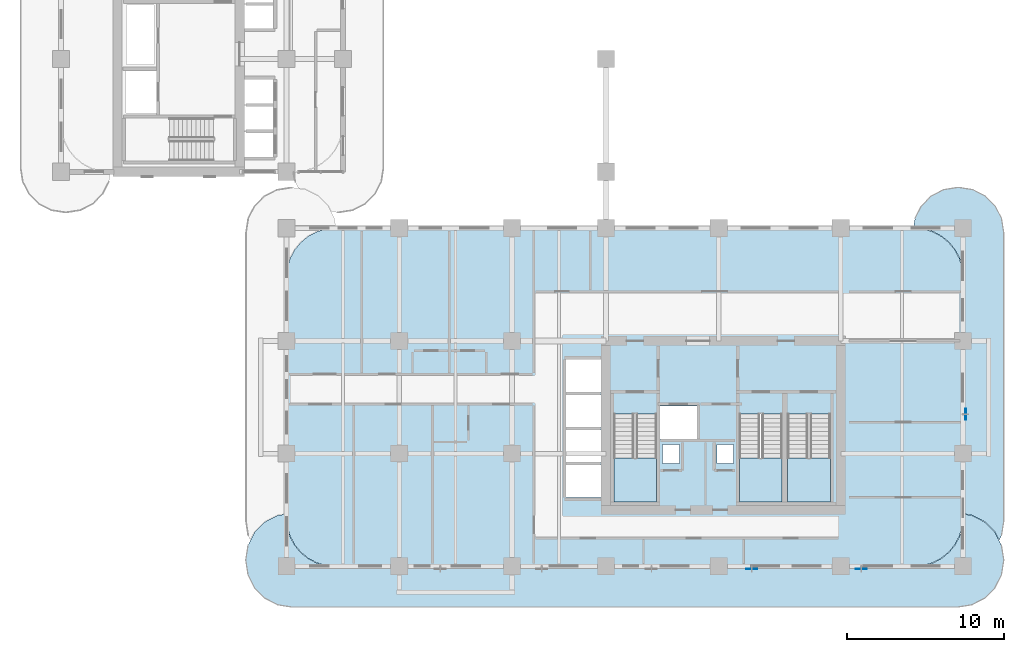
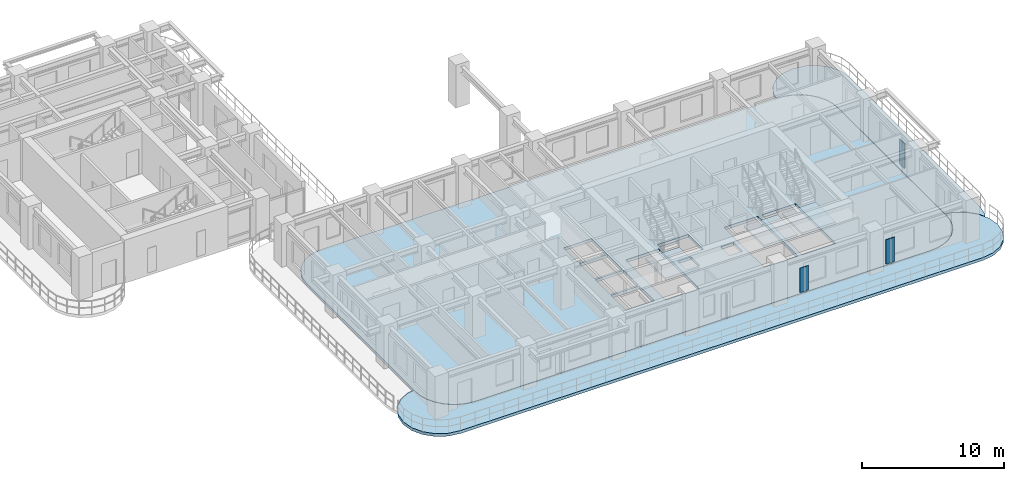
# One storey, part 5 of 19: 6 slabs, 3 plates, 3 elements without a shape of their own.
"""IFC4 building model written with IfcOpenShell, lengths in metres."""

from ifc_helpers import new_model, si_unit, derived_unit, direction, frame, origin, origin_2d, place, context, subcontext, project, spatial, polyline, rectangle, outline, extrude, source, transform, mapped, material, layer, layer_set, type_object, type_shapes, element, aggregate, save


model = new_model("IFC4")

# Units and contexts
model_context = context("Model", 3, precision=1e-05, world=origin(), true_north=direction((0.0, 1.0)))
body_context = subcontext(model_context, "Body", "Model", "MODEL_VIEW")
ifc_project = project(units=[si_unit("LENGTHUNIT", "METRE"), si_unit("AREAUNIT", "SQUARE_METRE"), si_unit("VOLUMEUNIT", "CUBIC_METRE"), si_unit("PLANEANGLEUNIT", "RADIAN"), si_unit("MASSUNIT", "GRAM", prefix="KILO"), si_unit("THERMODYNAMICTEMPERATUREUNIT", "KELVIN"), si_unit("POWERUNIT", "WATT"), derived_unit("THERMALTRANSMITTANCEUNIT", [(si_unit("POWERUNIT", "WATT"), 1), (si_unit("AREAUNIT", "SQUARE_METRE"), -1), (si_unit("THERMODYNAMICTEMPERATUREUNIT", "KELVIN"), -1)])], contexts=[model_context])

# Site, building, storey
site_placement = place(None, origin())
site = spatial("IfcSite", under=ifc_project, at=site_placement, CompositionType="ELEMENT")
building_placement = place(site_placement, origin())
building = spatial("IfcBuilding", under=site, at=building_placement, Name="Zahravan Archway Hotel and Residences", CompositionType="ELEMENT")
storey_placement = place(building_placement, frame((0.0, 0.0, 54.60009765625)))
storey = spatial("IfcBuildingStorey", under=building, at=storey_placement, Name="L12", CompositionType="ELEMENT", Elevation=54.60009765625)

# Slabs
ifc_material_1 = material(Name="Concrete C45/55", Category="concrete")
ifc_layer_1 = layer(ifc_material_1, 0.25, Name="Concrete C45/55", Category="concrete")
ifc_layer_set_1 = layer_set([ifc_layer_1], Name="Concrete C45/55")
slab_type_1 = type_object("IfcSlabType", Name="SLB-BALC-250", PredefinedType="FLOOR", material=ifc_layer_set_1)
slab_1_placement = place(storey_placement, frame((0.0, 0.0, -0.25)))
element("IfcSlab", 1, at=slab_1_placement, inside=storey, type_object=slab_type_1, Name="L12 Wing A South Rounded Balcony Band", PredefinedType="FLOOR", context=body_context, shape_type="SweptSolid", body=[
    extrude(outline(polyline([(58.16162109375, 3.255615234375), (58.98388671875, 2.836669921875), (59.63671875, 2.18408203125), (60.0556640625, 1.361572265625), (60.199951171875, 0.449951171875), (60.199951171875, 0.35009765625), (60.0556640625, -0.5615234375), (59.63671875, -1.384033203125), (58.98388671875, -2.03662109375), (58.16162109375, -2.45556640625), (57.25, -2.60009765625), (14.75, -2.60009765625), (13.83837890625, -2.45556640625), (13.01611328125, -2.03662109375), (12.36328125, -1.384033203125), (11.9443359375, -0.5615234375), (11.800048828125, 0.35009765625), (11.800048828125, 0.449951171875), (11.9443359375, 1.361572265625), (12.36328125, 2.18408203125), (13.01611328125, 2.836669921875), (13.83837890625, 3.255615234375), (14.3798828125, 3.34130859375), (14.3798828125, 3.10009765625), (14.380126953125, 3.097900390625), (14.439697265625, 2.4931640625), (14.43994140625, 2.4912109375), (14.4404296875, 2.489501953125), (14.616943359375, 1.907958984375), (14.617431640625, 1.906005859375), (14.618408203125, 1.904296875), (14.90478515625, 1.368408203125), (14.90576171875, 1.36669921875), (14.906982421875, 1.364990234375), (15.29248046875, 0.895263671875), (15.2939453125, 0.893798828125), (15.29541015625, 0.892578125), (15.764892578125, 0.5068359375), (15.7666015625, 0.505859375), (15.768310546875, 0.5048828125), (16.30419921875, 0.218505859375), (16.305908203125, 0.217529296875), (16.307861328125, 0.216796875), (16.889404296875, 0.04052734375), (16.891357421875, 0.0400390625), (16.893310546875, 0.039794921875), (17.498046875, -0.02001953125), (17.5, -0.02001953125), (54.5, -0.02001953125), (54.501953125, -0.02001953125), (55.106689453125, 0.039794921875), (55.108642578125, 0.0400390625), (55.110595703125, 0.04052734375), (55.692138671875, 0.216796875), (55.694091796875, 0.217529296875), (55.69580078125, 0.218505859375), (56.231689453125, 0.5048828125), (56.2333984375, 0.505859375), (56.235107421875, 0.5068359375), (56.70458984375, 0.892578125), (56.7060546875, 0.893798828125), (56.70751953125, 0.895263671875), (57.093017578125, 1.364990234375), (57.09423828125, 1.36669921875), (57.09521484375, 1.368408203125), (57.381591796875, 1.904296875), (57.382568359375, 1.906005859375), (57.383056640625, 1.907958984375), (57.5595703125, 2.489501953125), (57.56005859375, 2.4912109375), (57.560302734375, 2.4931640625), (57.619873046875, 3.097900390625), (57.6201171875, 3.10009765625), (57.6201171875, 3.34130859375), (58.16162109375, 3.255615234375)])), origin(), (0.0, 0.0, 1.0), 0.25),
])
slab_2_placement = place(storey_placement, frame((0.0, 0.0, -0.25)))
element("IfcSlab", 2, at=slab_2_placement, inside=storey, type_object=slab_type_1, Name="L12 Wing A East Rounded Balcony Band", PredefinedType="FLOOR", context=body_context, shape_type="SweptSolid", body=[
    extrude(outline(polyline([(54.53955078125, 22.230712890625), (54.9443359375, 23.025146484375), (55.57470703125, 23.65576171875), (56.369384765625, 24.060546875), (57.25, 24.199951171875), (57.35009765625, 24.199951171875), (58.230712890625, 24.060546875), (59.025146484375, 23.65576171875), (59.65576171875, 23.025146484375), (60.060546875, 22.230712890625), (60.199951171875, 21.35009765625), (60.199951171875, 2.85009765625), (60.060546875, 1.96923828125), (59.91455078125, 1.6826171875), (59.654296875, 2.193115234375), (59.6533203125, 2.19482421875), (59.652099609375, 2.196533203125), (59.650634765625, 2.197998046875), (58.998046875, 2.8505859375), (58.99658203125, 2.85205078125), (58.994873046875, 2.853515625), (58.9931640625, 2.8544921875), (58.170654296875, 3.2734375), (58.168701171875, 3.2744140625), (58.166748046875, 3.27490234375), (58.164794921875, 3.275390625), (57.623046875, 3.361083984375), (57.62109375, 3.361328125), (57.6201171875, 3.361328125), (57.6201171875, 18.5), (57.619873046875, 18.501953125), (57.560302734375, 19.106689453125), (57.56005859375, 19.108642578125), (57.5595703125, 19.110595703125), (57.383056640625, 19.692138671875), (57.382568359375, 19.694091796875), (57.381591796875, 19.69580078125), (57.09521484375, 20.231689453125), (57.09423828125, 20.2333984375), (57.093017578125, 20.235107421875), (56.70751953125, 20.70458984375), (56.7060546875, 20.7060546875), (56.70458984375, 20.70751953125), (56.235107421875, 21.093017578125), (56.2333984375, 21.09423828125), (56.231689453125, 21.09521484375), (55.69580078125, 21.381591796875), (55.694091796875, 21.382568359375), (55.692138671875, 21.383056640625), (55.110595703125, 21.5595703125), (55.108642578125, 21.56005859375), (55.106689453125, 21.560302734375), (54.501953125, 21.619873046875), (54.5, 21.6201171875), (54.44287109375, 21.6201171875), (54.53955078125, 22.230712890625)])), origin(), (0.0, 0.0, 1.0), 0.25),
])
ifc_layer_2 = layer(ifc_material_1, 0.25, Name="Concrete C45/55", Category="concrete")
ifc_layer_set_2 = layer_set([ifc_layer_2], Name="Concrete C45/55")
slab_type_2 = type_object("IfcSlabType", Name="SLB-FLR-250", PredefinedType="FLOOR", material=ifc_layer_set_2)
slab_3_placement = place(storey_placement, frame((0.0, 0.0, -0.25)))
element("IfcSlab", 3, at=slab_3_placement, inside=storey, type_object=slab_type_2, Name="L12 Floor Slab WA", PredefinedType="FLOOR", context=body_context, shape_type="SweptSolid", body=[
    extrude(outline(polyline([(54.5, 0.0), (55.104736328125, 0.0595703125), (55.686279296875, 0.236083984375), (56.222412109375, 0.5224609375), (56.69189453125, 0.907958984375), (57.07763671875, 1.377685546875), (57.364013671875, 1.913818359375), (57.540283203125, 2.4951171875), (57.60009765625, 3.10009765625), (57.60009765625, 18.5), (57.540283203125, 19.104736328125), (57.364013671875, 19.686279296875), (57.07763671875, 20.222412109375), (56.69189453125, 20.69189453125), (56.222412109375, 21.07763671875), (55.686279296875, 21.364013671875), (55.104736328125, 21.540283203125), (54.5, 21.60009765625), (17.5, 21.60009765625), (16.895263671875, 21.540283203125), (16.313720703125, 21.364013671875), (15.777587890625, 21.07763671875), (15.30810546875, 20.69189453125), (14.92236328125, 20.222412109375), (14.635986328125, 19.686279296875), (14.459716796875, 19.104736328125), (14.39990234375, 18.5), (14.39990234375, 3.10009765625), (14.459716796875, 2.4951171875), (14.635986328125, 1.913818359375), (14.92236328125, 1.377685546875), (15.30810546875, 0.907958984375), (15.777587890625, 0.5224609375), (16.313720703125, 0.236083984375), (16.895263671875, 0.0595703125), (17.5, 0.0), (54.5, 0.0)]), holes=[polyline([(35.300048828125, 9.72998046875), (35.300048828125, 4.10009765625), (38.0400390625, 4.10009765625), (38.0400390625, 9.72998046875), (35.300048828125, 9.72998046875)]), polyline([(43.320068359375, 9.72998046875), (43.320068359375, 4.10009765625), (46.06005859375, 4.10009765625), (46.06005859375, 9.72998046875), (43.320068359375, 9.72998046875)]), polyline([(46.39990234375, 9.72998046875), (46.39990234375, 4.10009765625), (49.139892578125, 4.10009765625), (49.139892578125, 9.72998046875), (46.39990234375, 9.72998046875)]), polyline([(38.179931640625, 8.14990234375), (40.699951171875, 8.14990234375), (40.699951171875, 10.25), (38.179931640625, 10.25), (38.179931640625, 8.14990234375)]), polyline([(32.25, 4.39990234375), (34.550048828125, 4.39990234375), (34.550048828125, 6.47998046875), (32.25, 6.47998046875), (32.25, 4.39990234375)]), polyline([(32.25, 6.639892578125), (34.550048828125, 6.639892578125), (34.550048828125, 8.719970703125), (32.25, 8.719970703125), (32.25, 6.639892578125)]), polyline([(32.25, 8.8798828125), (34.550048828125, 8.8798828125), (34.550048828125, 10.9599609375), (32.25, 10.9599609375), (32.25, 8.8798828125)]), polyline([(32.25, 11.1201171875), (34.550048828125, 11.1201171875), (34.550048828125, 13.199951171875), (32.25, 13.199951171875), (32.25, 11.1201171875)]), polyline([(38.419921875, 6.56005859375), (39.5, 6.56005859375), (39.5, 7.780029296875), (38.419921875, 7.780029296875), (38.419921875, 6.56005859375)]), polyline([(41.89990234375, 6.56005859375), (42.9599609375, 6.56005859375), (42.9599609375, 7.780029296875), (41.89990234375, 7.780029296875), (41.89990234375, 6.56005859375)])]), origin(), (0.0, 0.0, 1.0), 0.25),
])

# Stair, slab
ifc_material_2 = material(Name="Concrete C50/60", Category="concrete")
stair_type = type_object("IfcStairType", Name="STR-CORE-1300", PredefinedType="HALF_TURN_STAIR", material=ifc_material_2)
stair_1_placement = place(storey_placement, origin())
stair_1 = element("IfcStair", 4, at=stair_1_placement, inside=storey, type_object=stair_type, Name="L12 Core A Exit Stair 1", PredefinedType="HALF_TURN_STAIR")
ifc_layer_3 = layer(ifc_material_2, 0.199951171875, Name="Concrete C50/60", Category="concrete")
ifc_layer_set_3 = layer_set([ifc_layer_3], Name="Concrete C50/60")
slab_type_3 = type_object("IfcSlabType", Name="SLB-LND-200", PredefinedType="LANDING", material=ifc_layer_set_3)
slab_4_placement = place(storey_placement, frame((0.0, 0.0, 1.64990234375)))
slab_4 = element("IfcSlab", 5, at=slab_4_placement, type_object=slab_type_3, Name="ST-A1 landing 1", PredefinedType="LANDING", context=body_context, shape_type="SweptSolid", body=[
    extrude(outline(polyline([(35.300048828125, 6.929931640625), (35.300048828125, 4.10009765625), (38.0400390625, 4.10009765625), (38.0400390625, 6.929931640625), (35.300048828125, 6.929931640625)])), origin(), (0.0, 0.0, 1.0), 0.199951171875),
])
aggregate(stair_1, [slab_4])

stair_2_placement = place(storey_placement, origin())
stair_2 = element("IfcStair", 6, at=stair_2_placement, inside=storey, type_object=stair_type, Name="L12 Core A Exit Stair 2", PredefinedType="HALF_TURN_STAIR")
slab_5_placement = place(storey_placement, frame((0.0, 0.0, 1.64990234375)))
slab_5 = element("IfcSlab", 7, at=slab_5_placement, type_object=slab_type_3, Name="ST-A2 landing 1", PredefinedType="LANDING", context=body_context, shape_type="SweptSolid", body=[
    extrude(outline(polyline([(43.320068359375, 6.929931640625), (43.320068359375, 4.10009765625), (46.06005859375, 4.10009765625), (46.06005859375, 6.929931640625), (43.320068359375, 6.929931640625)])), origin(), (0.0, 0.0, 1.0), 0.199951171875),
])
aggregate(stair_2, [slab_5])

stair_3_placement = place(storey_placement, origin())
stair_3 = element("IfcStair", 8, at=stair_3_placement, inside=storey, type_object=stair_type, Name="L12 Core A Exit Stair 3", PredefinedType="HALF_TURN_STAIR")
slab_6_placement = place(storey_placement, frame((0.0, 0.0, 1.64990234375)))
slab_6 = element("IfcSlab", 9, at=slab_6_placement, type_object=slab_type_3, Name="ST-A3 landing 1", PredefinedType="LANDING", context=body_context, shape_type="SweptSolid", body=[
    extrude(outline(polyline([(46.39990234375, 6.929931640625), (46.39990234375, 4.10009765625), (49.139892578125, 4.10009765625), (49.139892578125, 6.929931640625), (46.39990234375, 6.929931640625)])), origin(), (0.0, 0.0, 1.0), 0.199951171875),
])
aggregate(stair_3, [slab_6])

# Plates
ifc_material_3 = material(Name="Perforated Cast Bronze Jali Lattice")
ifc_layer_4 = layer(ifc_material_3, 0.044921875, Name="Perforated Cast Bronze Jali Lattice")
ifc_layer_set_4 = layer_set([ifc_layer_4], Name="Perforated Cast Bronze Jali Lattice")
plate_type = type_object("IfcPlateType", Name="PLT-JALI-BAY", PredefinedType="USERDEFINED", material=ifc_layer_set_4)
shared_shape = source(origin(), body_context, "Body", "SweptSolid", [
    extrude(rectangle(XDim=0.699951171875, YDim=0.044921875, at=origin_2d()), origin(), (0.0, 0.0, 1.0), 2.10009765625),
])
type_shapes(plate_type, [shared_shape])
for number, where, z_axis, x_axis, name in (
    (10, (44.10791015625, -0.177978515625, 0.249755859375), (0.0, 0.0, 1.0), (1.0, 0.0, 0.0), "L12 Perforated Bronze Jali Pier Screen 04"),
    (11, (51.10009765625, -0.177978515625, 0.249755859375), (0.0, 0.0, 1.0), (1.0, 0.0, 0.0), "L12 Perforated Bronze Jali Pier Screen 05"),
    (12, (57.778076171875, 9.7080078125, 0.249755859375), (0.0, 0.0, 1.0), (0.0, 1.0, 0.0), "L12 Perforated Bronze Jali Pier Screen 06"),
):
    element("IfcPlate", number, at=place(storey_placement, frame(where, z_axis=z_axis, x_axis=x_axis)), inside=storey, type_object=plate_type, Name=name, ObjectType="SCREEN", PredefinedType="USERDEFINED", context=body_context, shape_type="MappedRepresentation", body=[
        mapped(shared_shape, transform((0.0, 0.0, 0.0), scale=1.0)),
    ])

save(model, "model.ifc")
